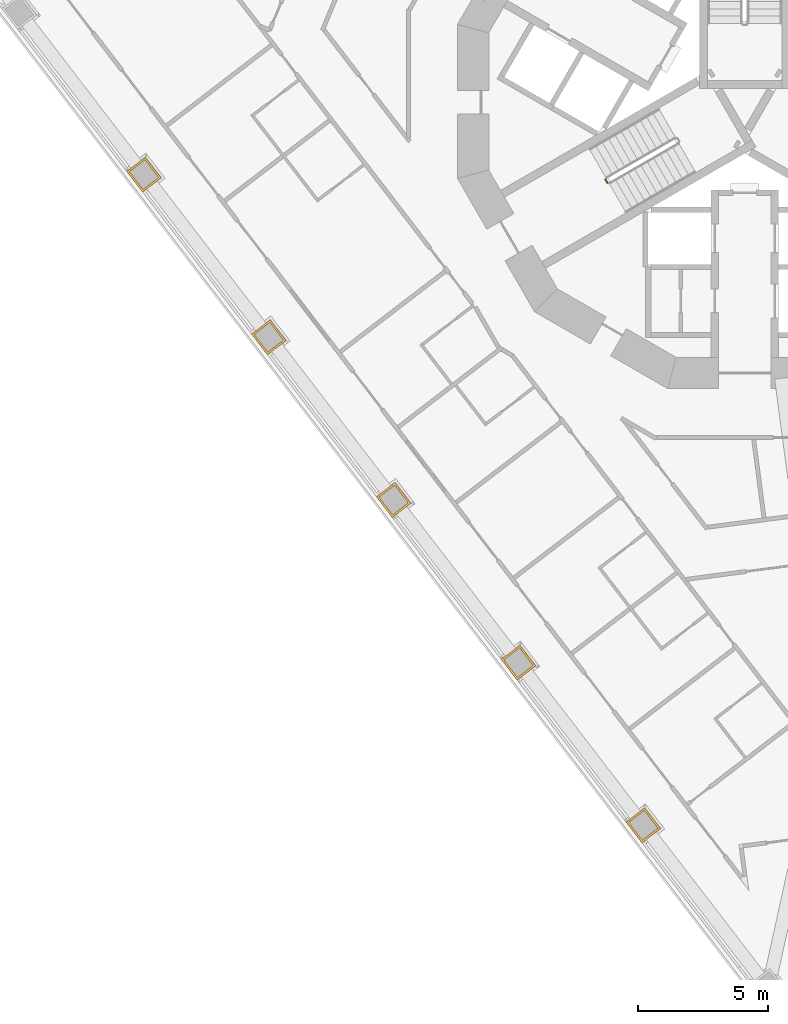
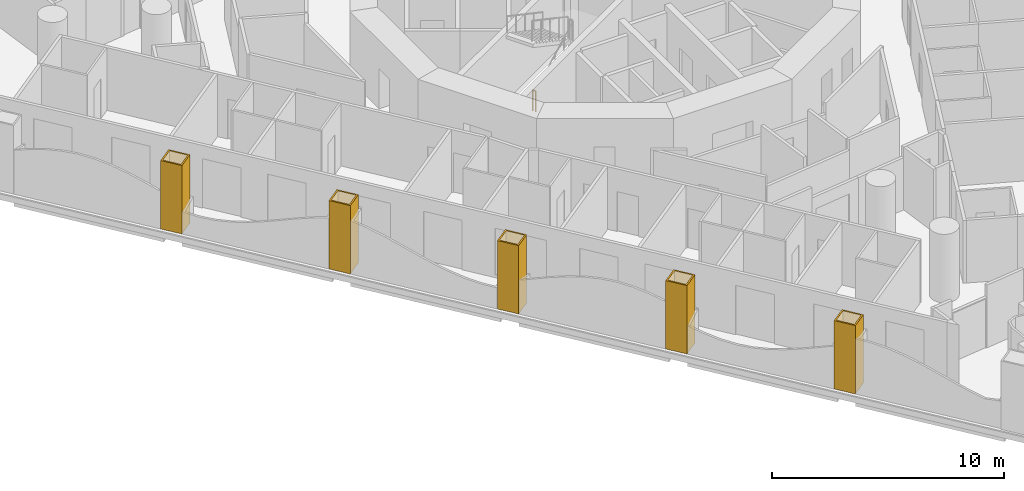
# One storey, part 12 of 19: 5 coverings, 1 railing.
"""IFC4 building model written with IfcOpenShell, lengths in metres."""

from ifc_helpers import new_model, si_unit, direction, frame, origin, origin_2d, place, context, subcontext, project, spatial, polyline, circle, outline, extrude, material, layer, layer_set, type_object, element, save


model = new_model("IFC4")

# Units and contexts
model_context = context("Model", 3, precision=1e-05, world=origin(), true_north=direction((0.0, 1.0)))
body_context = subcontext(model_context, "Body", "Model", "MODEL_VIEW")
ifc_project = project(units=[si_unit("LENGTHUNIT", "METRE"), si_unit("AREAUNIT", "SQUARE_METRE"), si_unit("VOLUMEUNIT", "CUBIC_METRE"), si_unit("PLANEANGLEUNIT", "RADIAN"), si_unit("MASSUNIT", "GRAM", prefix="KILO")], contexts=[model_context])

# Site, building, storey
site_placement = place(None, origin())
site = spatial("IfcSite", under=ifc_project, at=site_placement, CompositionType="ELEMENT")
building_placement = place(site_placement, origin())
building = spatial("IfcBuilding", under=site, at=building_placement, Name="Trine Commons Tower", CompositionType="ELEMENT")
storey_placement = place(building_placement, frame((0.0, 0.0, 72.0)))
storey = spatial("IfcBuildingStorey", under=building, at=storey_placement, Name="L17", CompositionType="ELEMENT", Elevation=72.0)

# Coverings
ifc_material_1 = material(Name="Limestone, honed", Category="masonry")
ifc_layer = layer(ifc_material_1, 0.074951171875)
ifc_layer_set = layer_set([ifc_layer], Name="Limestone, honed")
covering_type = type_object("IfcCoveringType", Name="Limestone column cladding 75", PredefinedType="CLADDING", material=ifc_layer_set)
covering_1_placement = place(storey_placement, origin())
element("IfcCovering", 1, at=covering_1_placement, inside=storey, type_object=covering_type, Name="Limestone pier cladding 2-02", PredefinedType="CLADDING", context=body_context, shape_type="SweptSolid", body=[
    extrude(outline(polyline([(76.1669921875, 35.419189453125), (75.452880859375, 34.87109375), (76.061767578125, 34.077880859375), (76.775634765625, 34.625732421875), (76.1669921875, 35.419189453125)]), holes=[polyline([(76.153076171875, 35.31396484375), (75.55810546875, 34.857421875), (76.075439453125, 34.18310546875), (76.67041015625, 34.6396484375), (76.153076171875, 35.31396484375)])]), origin(), (0.0, 0.0, 1.0), 3.60009765625),
])
covering_2_placement = place(storey_placement, origin())
element("IfcCovering", 2, at=covering_2_placement, inside=storey, type_object=covering_type, Name="Limestone pier cladding 2-03", PredefinedType="CLADDING", context=body_context, shape_type="SweptSolid", body=[
    extrude(outline(polyline([(71.381591796875, 41.6552734375), (70.667724609375, 41.107421875), (71.276611328125, 40.314208984375), (71.990478515625, 40.862060546875), (71.381591796875, 41.6552734375)]), holes=[polyline([(71.367919921875, 41.55029296875), (70.77294921875, 41.093505859375), (71.290283203125, 40.419189453125), (71.88525390625, 40.875732421875), (71.367919921875, 41.55029296875)])]), origin(), (0.0, 0.0, 1.0), 3.60009765625),
])
covering_3_placement = place(storey_placement, origin())
element("IfcCovering", 3, at=covering_3_placement, inside=storey, type_object=covering_type, Name="Limestone pier cladding 2-04", PredefinedType="CLADDING", context=body_context, shape_type="SweptSolid", body=[
    extrude(outline(polyline([(66.5966796875, 47.891357421875), (65.882568359375, 47.343505859375), (66.491455078125, 46.55029296875), (67.205322265625, 47.09814453125), (66.5966796875, 47.891357421875)]), holes=[polyline([(66.582763671875, 47.786376953125), (65.98779296875, 47.32958984375), (66.505126953125, 46.6552734375), (67.10009765625, 47.11181640625), (66.582763671875, 47.786376953125)])]), origin(), (0.0, 0.0, 1.0), 3.60009765625),
])
covering_4_placement = place(storey_placement, origin())
element("IfcCovering", 4, at=covering_4_placement, inside=storey, type_object=covering_type, Name="Limestone pier cladding 2-05", PredefinedType="CLADDING", context=body_context, shape_type="SweptSolid", body=[
    extrude(outline(polyline([(61.811279296875, 54.127685546875), (61.097412109375, 53.57958984375), (61.706298828125, 52.786376953125), (62.420166015625, 53.334228515625), (61.811279296875, 54.127685546875)]), holes=[polyline([(61.797607421875, 54.0224609375), (61.20263671875, 53.56591796875), (61.719970703125, 52.8916015625), (62.31494140625, 53.34814453125), (61.797607421875, 54.0224609375)])]), origin(), (0.0, 0.0, 1.0), 3.60009765625),
])
covering_5_placement = place(storey_placement, origin())
element("IfcCovering", 5, at=covering_5_placement, inside=storey, type_object=covering_type, Name="Limestone pier cladding 2-06", PredefinedType="CLADDING", context=body_context, shape_type="SweptSolid", body=[
    extrude(outline(polyline([(57.026123046875, 60.36376953125), (56.312255859375, 59.81591796875), (56.9208984375, 59.022705078125), (57.635009765625, 59.570556640625), (57.026123046875, 60.36376953125)]), holes=[polyline([(57.012451171875, 60.2587890625), (56.41748046875, 59.802001953125), (56.934814453125, 59.127685546875), (57.52978515625, 59.584228515625), (57.012451171875, 60.2587890625)])]), origin(), (0.0, 0.0, 1.0), 3.60009765625),
])

# Railing
ifc_material_2 = material(Name="Stainless steel balustrade", Category="steel")
railing_type = type_object("IfcRailingType", Name="Stair guard, steel balustrade 1100", PredefinedType="GUARDRAIL", material=ifc_material_2)
railing_placement = place(storey_placement, frame((74.73681640625, 59.374755859375, 0.0)))
element("IfcRailing", 6, at=railing_placement, inside=storey, type_object=railing_type, Name="L17 ST2A stair guard 4", PredefinedType="GUARDRAIL", context=body_context, shape_type="SweptSolid", body=[
    extrude(circle(Radius=0.02392578125, at=origin_2d()), frame((0.0, 0.0, 1.076171875), z_axis=(-0.499816412211, 0.866131372301, 0.0), x_axis=(-0.866131372301, -0.499816412211, 0.0)), (0.0, 0.0, 1.0), 0.14990234375),
    extrude(circle(Radius=0.02099609375, at=origin_2d()), origin(), (0.0, 0.0, 1.0), 1.052001953125),
    extrude(circle(Radius=0.02099609375, at=origin_2d()), frame((-0.074951171875, 0.1298828125, 0.0)), (0.0, 0.0, 1.0), 1.052001953125),
])

save(model, "model.ifc")
